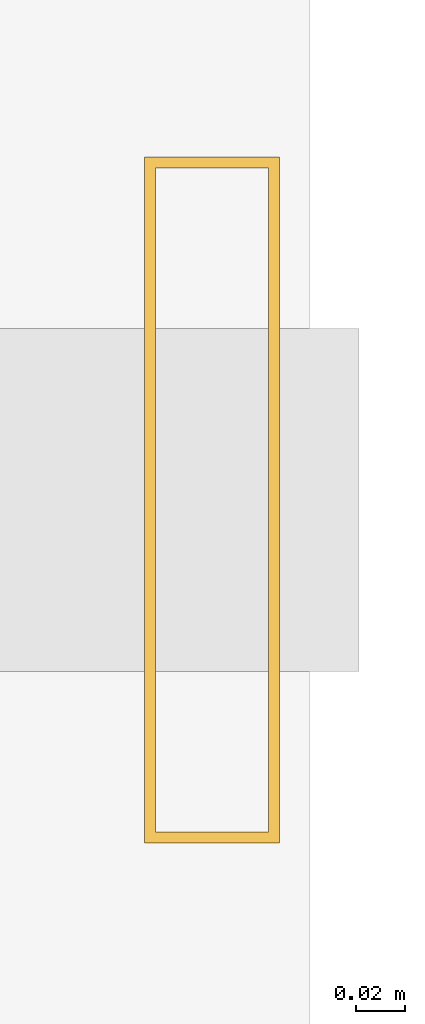
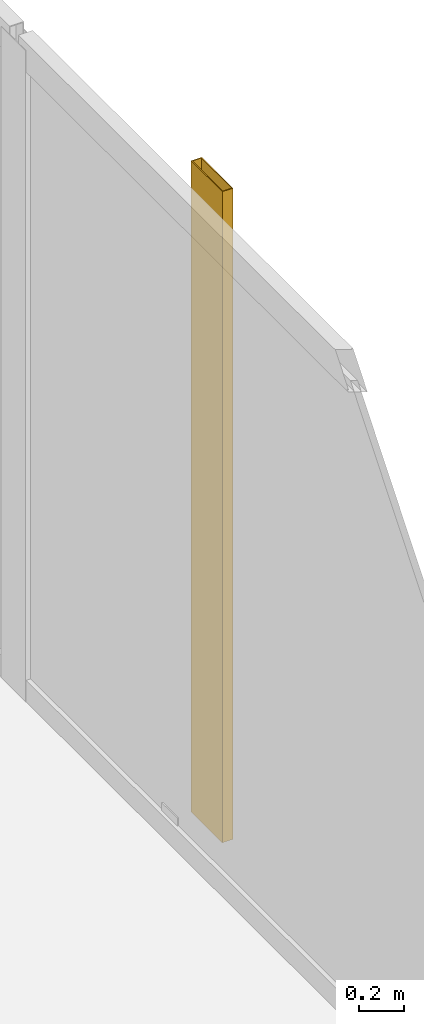
# One storey, part 23 of 23: 1 shading device.
"""IFC4 building model written with IfcOpenShell, lengths in metres."""

from ifc_helpers import new_model, si_unit, direction, frame, origin, origin_2d, place, context, subcontext, project, spatial, hollow_rectangle, extrude, material, material_profile, profile_set, type_object, element, save


model = new_model("IFC4")

# Units and contexts
model_context = context("Model", 3, precision=1e-05, world=origin(), true_north=direction((0.0, 1.0)))
body_context = subcontext(model_context, "Body", "Model", "MODEL_VIEW")
ifc_project = project(units=[si_unit("LENGTHUNIT", "METRE"), si_unit("AREAUNIT", "SQUARE_METRE"), si_unit("VOLUMEUNIT", "CUBIC_METRE"), si_unit("PLANEANGLEUNIT", "RADIAN"), si_unit("MASSUNIT", "GRAM", prefix="KILO")], contexts=[model_context])

# Site, building, storey
site_placement = place(None, origin())
site = spatial("IfcSite", under=ifc_project, at=site_placement, CompositionType="ELEMENT")
building_placement = place(site_placement, origin())
building = spatial("IfcBuilding", under=site, at=building_placement, Name="Kolvaren Waterfront Exchange", CompositionType="ELEMENT")
storey_placement = place(building_placement, frame((0.0, 0.0, 227.300048828125)))
storey = spatial("IfcBuildingStorey", under=building, at=storey_placement, Name="L58", CompositionType="ELEMENT", Elevation=227.300048828125)

# Shading device
ifc_material = material(Name="Anodised bronze aluminium 6063-T6", Category="aluminium")
ifc_material_profile = material_profile(ifc_material, hollow_rectangle(XDim=0.054931640625, YDim=0.280029296875, WallThickness=0.00439453125, at=origin_2d()), Name="BRZ-FIN-280x55x4.5")
ifc_profile_set = profile_set([ifc_material_profile], Name="Anodised bronze aluminium 6063-T6")
shading_device_type = type_object("IfcShadingDeviceType", Name="ARC-FIN-280", PredefinedType="USERDEFINED", material=ifc_profile_set)
shading_device_placement = place(storey_placement, frame((21.360107421875, 38.39990234375, 0.0), z_axis=(0.0, 0.0, 1.0), x_axis=(1.0, 0.0, 0.0)))
element("IfcShadingDevice", 1, at=shading_device_placement, inside=storey, type_object=shading_device_type, Name="L58 anodised bronze solar shading fin FIN-L58-E3", ObjectType="SOLAR FIN", PredefinedType="USERDEFINED", context=body_context, shape_type="SweptSolid", body=[
    extrude(hollow_rectangle(XDim=0.054931640625, YDim=0.280029296875, WallThickness=0.00439453125, at=origin_2d()), origin(), (0.0, 0.0, 1.0), 3.56005859375),
])

save(model, "model.ifc")
